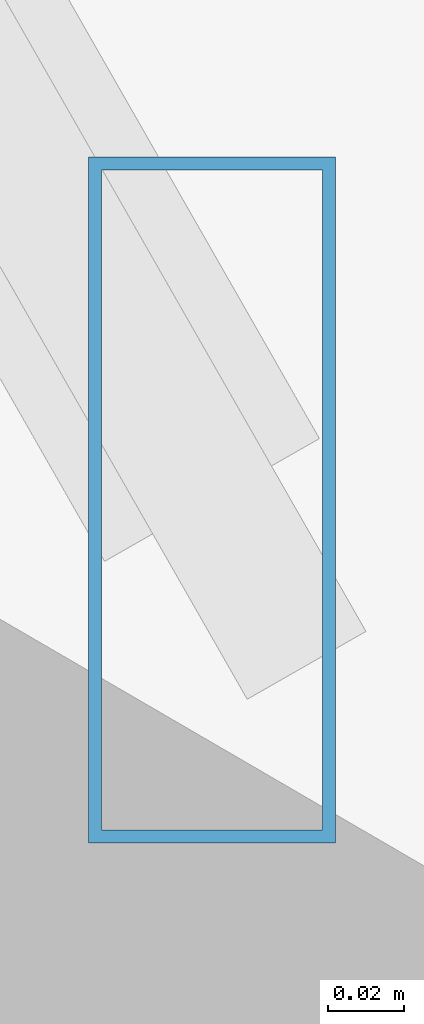
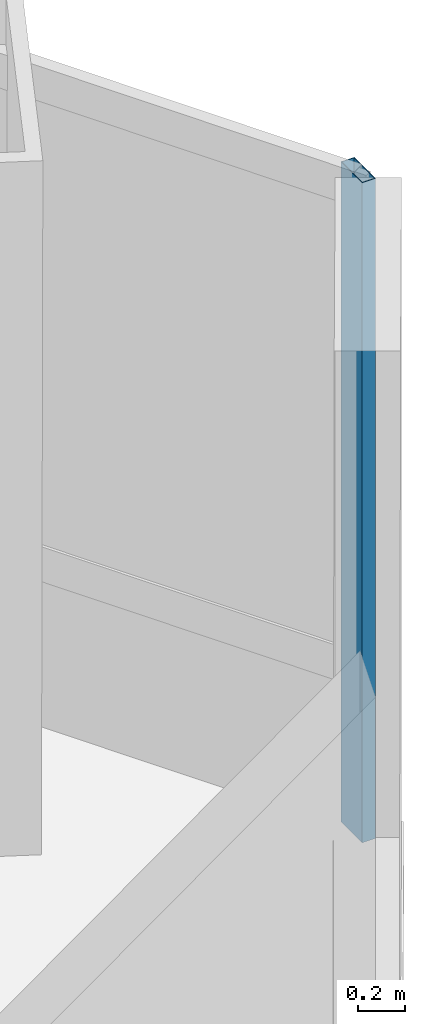
# One storey, part 19 of 34: 1 member, 1 element without a shape of its own.
"""IFC4 building model written with IfcOpenShell, lengths in metres."""

from ifc_helpers import new_model, si_unit, direction, frame, origin, origin_2d, place, context, subcontext, project, spatial, hollow_rectangle, extrude, source, transform, mapped, material, material_profile, profile_set, type_object, type_shapes, element, aggregate, save


model = new_model("IFC4")

# Units and contexts
model_context = context("Model", 3, precision=1e-05, world=origin(), true_north=direction((0.0, 1.0)))
body_context = subcontext(model_context, "Body", "Model", "MODEL_VIEW")
ifc_project = project(units=[si_unit("LENGTHUNIT", "METRE"), si_unit("AREAUNIT", "SQUARE_METRE"), si_unit("VOLUMEUNIT", "CUBIC_METRE"), si_unit("PLANEANGLEUNIT", "RADIAN"), si_unit("MASSUNIT", "GRAM", prefix="KILO")], contexts=[model_context])

# Site, building, storey
site_placement = place(None, origin())
site = spatial("IfcSite", under=ifc_project, at=site_placement, CompositionType="ELEMENT")
building_placement = place(site_placement, origin())
building = spatial("IfcBuilding", under=site, at=building_placement, Name="Caelisora Broadcast Tower", CompositionType="ELEMENT")
storey_placement = place(building_placement, frame((0.0, 0.0, 56.800048828125)))
storey = spatial("IfcBuildingStorey", under=building, at=storey_placement, Name="L14", CompositionType="ELEMENT", Elevation=56.800048828125)

# Curtain wall, member
ifc_material_1 = material(Name="Unitised Aluminium and Low-E Glass Curtain Wall", Category="glass")
curtain_wall_type = type_object("IfcCurtainWallType", Name="CW-Z1", PredefinedType="NOTDEFINED", material=ifc_material_1)
curtain_wall_placement = place(storey_placement, origin())
curtain_wall = element("IfcCurtainWall", 1, at=curtain_wall_placement, inside=storey, type_object=curtain_wall_type, Name="L14 curtain wall CW-Z1", PredefinedType="NOTDEFINED")
ifc_material_2 = material(Name="Aluminium 6063-T6 Anodised Terracotta Bronze", Category="aluminium")
ifc_material_profile = material_profile(ifc_material_2, hollow_rectangle(XDim=0.06494140625, YDim=0.179931640625, WallThickness=0.00341796875, at=origin_2d()), Name="Aluminium 6063-T6 Anodised Terracotta Bronze")
ifc_profile_set = profile_set([ifc_material_profile], Name="Aluminium 6063-T6 Anodised Terracotta Bronze")
member_type = type_object("IfcMemberType", Name="CWM-02", PredefinedType="MULLION", material=ifc_profile_set)
shared_shape = source(origin(), body_context, "Body", "SweptSolid", [
    extrude(hollow_rectangle(XDim=0.06494140625, YDim=0.179931640625, WallThickness=0.00341796875, at=origin_2d()), origin(), (0.0, 0.0, 1.0), 3.39990234375),
])
type_shapes(member_type, [shared_shape])
member_placement = place(storey_placement, frame((63.17724609375, 18.951416015625, 0.0), z_axis=(0.0, 0.0, 1.0), x_axis=(1.0, 0.0, 0.0)))
member = element("IfcMember", 2, at=member_placement, type_object=member_type, Name="L14-CW-B03 mullion #3", PredefinedType="MULLION", context=body_context, shape_type="MappedRepresentation", body=[
    mapped(shared_shape, transform((0.0, 0.0, 0.0), scale=1.0)),
])
aggregate(curtain_wall, [member])

save(model, "model.ifc")
